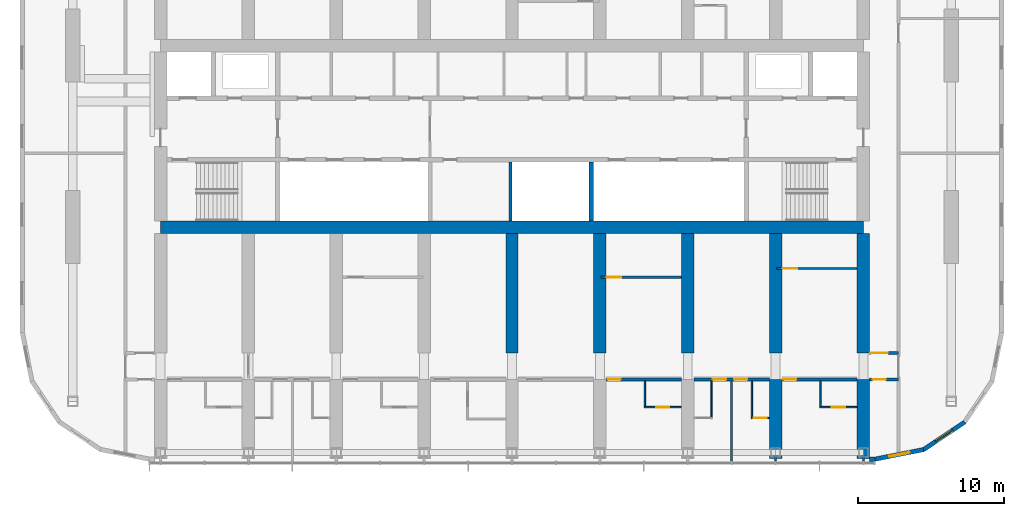
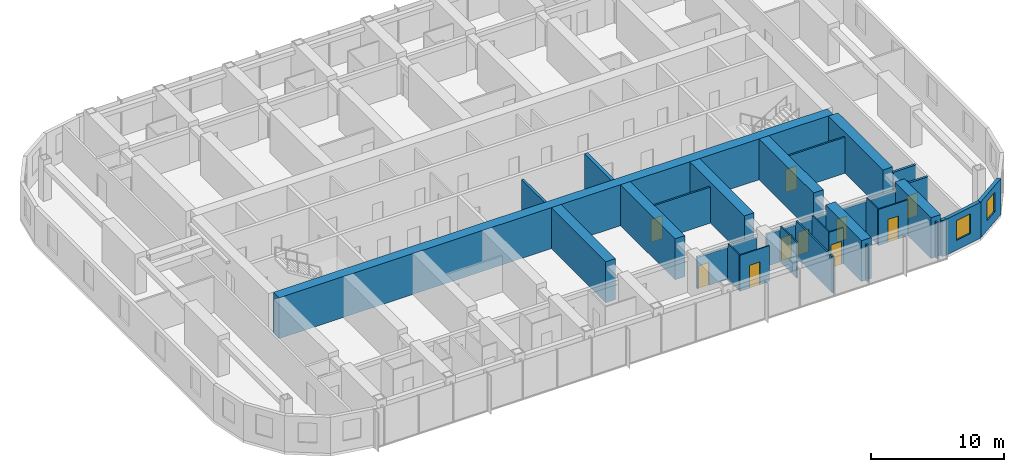
# One storey, part 12 of 22: 30 walls, 11 doors, 2 windows, 13 openings.
"""IFC4 building model written with IfcOpenShell, lengths in metres."""

from ifc_helpers import new_model, si_unit, direction, frame, frame_2d, origin, place, context, subcontext, project, spatial, polyline, rectangle, outline, extrude, material, layer, layer_set, type_object, element, fill, save


model = new_model("IFC4")

# Units and contexts
model_context = context("Model", 3, precision=1e-05, world=origin(), true_north=direction((0.0, 1.0)))
body_context = subcontext(model_context, "Body", "Model", "MODEL_VIEW")
ifc_project = project(units=[si_unit("LENGTHUNIT", "METRE"), si_unit("AREAUNIT", "SQUARE_METRE"), si_unit("VOLUMEUNIT", "CUBIC_METRE"), si_unit("PLANEANGLEUNIT", "RADIAN"), si_unit("MASSUNIT", "GRAM", prefix="KILO")], contexts=[model_context])

# Site, building, storey
site_placement = place(None, origin())
site = spatial("IfcSite", under=ifc_project, at=site_placement, CompositionType="ELEMENT")
building_placement = place(site_placement, origin())
building = spatial("IfcBuilding", under=site, at=building_placement, Name="Orbita Commons", CompositionType="ELEMENT")
storey_placement = place(building_placement, frame((0.0, 0.0, 189.85009765625)))
storey = spatial("IfcBuildingStorey", under=building, at=storey_placement, Name="L47", CompositionType="ELEMENT", Elevation=189.85009765625)

# Walls
ifc_material_1 = material(Name="Concrete C50/60", Category="concrete")
ifc_layer_1 = layer(ifc_material_1, 0.300048828125)
ifc_layer_set_1 = layer_set([ifc_layer_1], Name="Concrete C50/60")
wall_type_1 = type_object("IfcWallType", Name="Core inner wall 300 C50/60", PredefinedType="SHEAR", material=ifc_layer_set_1)
wall_1_placement = place(storey_placement, frame((47.39990234375, 26.22509765625, 0.0), z_axis=(0.0, 0.0, 1.0), x_axis=(0.0, 1.0, 0.0)))
element("IfcWall", 1, at=wall_1_placement, inside=storey, type_object=wall_type_1, Name="Hoistway division wall L47", PredefinedType="SHEAR", context=body_context, shape_type="SweptSolid", body=[
    extrude(rectangle(XDim=4.02490234375, YDim=0.300048828125, at=frame_2d((2.012451171875, 0.0))), origin(), (0.0, 0.0, 1.0), 3.75),
])
ifc_material_2 = material(Name="Concrete C50/60", Category="concrete")
ifc_layer_2 = layer(ifc_material_2, 0.85009765625)
ifc_layer_set_2 = layer_set([ifc_layer_2], Name="Concrete C50/60")
wall_type_2 = type_object("IfcWallType", Name="Core wall 850 C50/60", PredefinedType="SHEAR", material=ifc_layer_set_2)
wall_2_placement = place(storey_placement, frame((18.0, 25.800048828125, 0.0), z_axis=(0.0, 0.0, 1.0), x_axis=(1.0, 0.0, 0.0)))
element("IfcWall", 2, at=wall_2_placement, inside=storey, type_object=wall_type_2, Name="Core spine wall south L47", PredefinedType="SHEAR", context=body_context, shape_type="SweptSolid", body=[
    extrude(rectangle(XDim=48.0, YDim=0.85009765625, at=frame_2d((24.0, 0.0))), origin(), (0.0, 0.0, 1.0), 3.75),
])

# Wall, opening, door
ifc_material_3 = material(Name="Concrete blockwork", Category="masonry")
ifc_layer_3 = layer(ifc_material_3, 0.199951171875)
ifc_layer_set_3 = layer_set([ifc_layer_3], Name="Concrete blockwork")
wall_type_3 = type_object("IfcWallType", Name="Corridor wall 200 blockwork", PredefinedType="SOLIDWALL", material=ifc_layer_set_3)
wall_3_placement = place(storey_placement, frame((48.425048828125, 15.39990234375, 0.0), z_axis=(0.0, 0.0, 1.0), x_axis=(1.0, 0.0, 0.0)))
wall_3 = element("IfcWall", 3, at=wall_3_placement, inside=storey, type_object=wall_type_3, Name="Corridor wall 200 blockwork L47", PredefinedType="SOLIDWALL", context=body_context, shape_type="SweptSolid", body=[
    extrude(outline(polyline([(0.0, 0.0), (5.14990234375, 0.0), (5.14990234375, 2.89990234375), (0.0, 2.89990234375), (0.0, 0.0)])), frame((0.0, 0.10009765625, 0.0), z_axis=(0.0, -1.0, 0.0), x_axis=(1.0, 0.0, 0.0)), (0.0, 0.0, 1.0), 0.199951171875),
])
opening_1_placement = place(wall_3_placement, frame((0.10009765625, 0.0, 0.0)))
opening_1 = element("IfcOpeningElement", 4, at=opening_1_placement, cuts=wall_3, Name="Opening D11", PredefinedType="OPENING", context=body_context, shape_type="SweptSolid", body=[
    extrude(rectangle(XDim=0.89990234375, YDim=2.10009765625, at=frame_2d((0.449951171875, 1.050048828125))), frame((0.0, 0.10986328125, 0.0), z_axis=(0.0, -1.0, 0.0), x_axis=(1.0, 0.0, 0.0)), (0.0, 0.0, 1.0), 0.219970703125),
])
ifc_material_4 = material(Name="Steel-faced fire door leaf", Category="steel")
door_type_1 = type_object("IfcDoorType", Name="Corridor door 20 min 900x2100", OperationType="SINGLE_SWING_LEFT", PredefinedType="DOOR", material=ifc_material_4)
door_1_placement = place(opening_1_placement, origin())
door_1 = element("IfcDoor", 5, at=door_1_placement, inside=storey, type_object=door_type_1, Name="Twin room L47-S10 door", OperationType="SINGLE_SWING_LEFT", OverallHeight=2.10009765625, OverallWidth=0.89990234375, PredefinedType="DOOR", context=body_context, shape_type="SweptSolid", body=[
    extrude(rectangle(XDim=0.89990234375, YDim=2.10009765625, at=frame_2d((0.449951171875, 1.050048828125))), frame((0.0, 0.02490234375, 0.0), z_axis=(0.0, -1.0, 0.0), x_axis=(1.0, 0.0, 0.0)), (0.0, 0.0, 1.0), 0.050048828125),
])
fill(opening_1, door_1)

# Wall, openings, doors
wall_4_placement = place(storey_placement, frame((54.425048828125, 15.39990234375, 0.0), z_axis=(0.0, 0.0, 1.0), x_axis=(1.0, 0.0, 0.0)))
wall_4 = element("IfcWall", 6, at=wall_4_placement, inside=storey, type_object=wall_type_3, Name="Corridor wall 200 blockwork L47", PredefinedType="SOLIDWALL", context=body_context, shape_type="SweptSolid", body=[
    extrude(outline(polyline([(0.0, 0.0), (5.14990234375, 0.0), (5.14990234375, 2.89990234375), (0.0, 2.89990234375), (0.0, 0.0)])), frame((0.0, 0.10009765625, 0.0), z_axis=(0.0, -1.0, 0.0), x_axis=(1.0, 0.0, 0.0)), (0.0, 0.0, 1.0), 0.199951171875),
])
opening_2_placement = place(wall_4_placement, frame((1.300048828125, 0.0, 0.0)))
opening_2 = element("IfcOpeningElement", 7, at=opening_2_placement, cuts=wall_4, Name="Opening D11", PredefinedType="OPENING", context=body_context, shape_type="SweptSolid", body=[
    extrude(rectangle(XDim=0.89990234375, YDim=2.10009765625, at=frame_2d((0.449951171875, 1.050048828125))), frame((0.0, 0.10986328125, 0.0), z_axis=(0.0, -1.0, 0.0), x_axis=(1.0, 0.0, 0.0)), (0.0, 0.0, 1.0), 0.219970703125),
])
opening_3_placement = place(wall_4_placement, frame((2.75, 0.0, 0.0)))
opening_3 = element("IfcOpeningElement", 8, at=opening_3_placement, cuts=wall_4, Name="Opening D11", PredefinedType="OPENING", context=body_context, shape_type="SweptSolid", body=[
    extrude(rectangle(XDim=0.89990234375, YDim=2.10009765625, at=frame_2d((0.449951171875, 1.050048828125))), frame((0.0, 0.10986328125, 0.0), z_axis=(0.0, -1.0, 0.0), x_axis=(1.0, 0.0, 0.0)), (0.0, 0.0, 1.0), 0.219970703125),
])
door_2_placement = place(opening_2_placement, origin())
door_2 = element("IfcDoor", 9, at=door_2_placement, inside=storey, type_object=door_type_1, Name="Cluster bedroom L47-S12 door", OperationType="SINGLE_SWING_LEFT", OverallHeight=2.10009765625, OverallWidth=0.89990234375, PredefinedType="DOOR", context=body_context, shape_type="SweptSolid", body=[
    extrude(rectangle(XDim=0.89990234375, YDim=2.10009765625, at=frame_2d((0.449951171875, 1.050048828125))), frame((0.0, 0.02490234375, 0.0), z_axis=(0.0, -1.0, 0.0), x_axis=(1.0, 0.0, 0.0)), (0.0, 0.0, 1.0), 0.050048828125),
])
fill(opening_2, door_2)
door_3_placement = place(opening_3_placement, origin())
door_3 = element("IfcDoor", 10, at=door_3_placement, inside=storey, type_object=door_type_1, Name="Cluster bedroom L47-S13 door", OperationType="SINGLE_SWING_LEFT", OverallHeight=2.10009765625, OverallWidth=0.89990234375, PredefinedType="DOOR", context=body_context, shape_type="SweptSolid", body=[
    extrude(rectangle(XDim=0.89990234375, YDim=2.10009765625, at=frame_2d((0.449951171875, 1.050048828125))), frame((0.0, 0.02490234375, 0.0), z_axis=(0.0, -1.0, 0.0), x_axis=(1.0, 0.0, 0.0)), (0.0, 0.0, 1.0), 0.050048828125),
])
fill(opening_3, door_3)

# Wall, opening, door
wall_5_placement = place(storey_placement, frame((60.425048828125, 15.39990234375, 0.0), z_axis=(0.0, 0.0, 1.0), x_axis=(1.0, 0.0, 0.0)))
wall_5 = element("IfcWall", 11, at=wall_5_placement, inside=storey, type_object=wall_type_3, Name="Corridor wall 200 blockwork L47", PredefinedType="SOLIDWALL", context=body_context, shape_type="SweptSolid", body=[
    extrude(outline(polyline([(0.0, 0.0), (5.14990234375, 0.0), (5.14990234375, 2.89990234375), (0.0, 2.89990234375), (0.0, 0.0)])), frame((0.0, 0.10009765625, 0.0), z_axis=(0.0, -1.0, 0.0), x_axis=(1.0, 0.0, 0.0)), (0.0, 0.0, 1.0), 0.199951171875),
])
opening_4_placement = place(wall_5_placement, frame((0.10009765625, 0.0, 0.0)))
opening_4 = element("IfcOpeningElement", 12, at=opening_4_placement, cuts=wall_5, Name="Opening D11", PredefinedType="OPENING", context=body_context, shape_type="SweptSolid", body=[
    extrude(rectangle(XDim=0.89990234375, YDim=2.10009765625, at=frame_2d((0.449951171875, 1.050048828125))), frame((0.0, 0.10986328125, 0.0), z_axis=(0.0, -1.0, 0.0), x_axis=(1.0, 0.0, 0.0)), (0.0, 0.0, 1.0), 0.219970703125),
])
door_4_placement = place(opening_4_placement, origin())
door_4 = element("IfcDoor", 13, at=door_4_placement, inside=storey, type_object=door_type_1, Name="Twin room L47-S14 door", OperationType="SINGLE_SWING_LEFT", OverallHeight=2.10009765625, OverallWidth=0.89990234375, PredefinedType="DOOR", context=body_context, shape_type="SweptSolid", body=[
    extrude(rectangle(XDim=0.89990234375, YDim=2.10009765625, at=frame_2d((0.449951171875, 1.050048828125))), frame((0.0, 0.02490234375, 0.0), z_axis=(0.0, -1.0, 0.0), x_axis=(1.0, 0.0, 0.0)), (0.0, 0.0, 1.0), 0.050048828125),
])
fill(opening_4, door_4)

wall_6_placement = place(storey_placement, frame((66.425048828125, 15.39990234375, 0.0), z_axis=(0.0, 0.0, 1.0), x_axis=(1.0, 0.0, 0.0)))
wall_6 = element("IfcWall", 14, at=wall_6_placement, inside=storey, type_object=wall_type_3, Name="Corridor wall 200 blockwork L47", PredefinedType="SOLIDWALL", context=body_context, shape_type="SweptSolid", body=[
    extrude(rectangle(XDim=1.974853515625, YDim=0.199951171875, at=frame_2d((0.9873046875, 0.0))), origin(), (0.0, 0.0, 1.0), 3.2998046875),
])
opening_5_placement = place(wall_6_placement, frame((0.199951171875, 0.0, 0.0)))
opening_5 = element("IfcOpeningElement", 15, at=opening_5_placement, cuts=wall_6, Name="Opening D05", PredefinedType="OPENING", context=body_context, shape_type="SweptSolid", body=[
    extrude(rectangle(XDim=0.89990234375, YDim=2.10009765625, at=frame_2d((0.449951171875, 1.050048828125))), frame((0.0, 0.10986328125, 0.0), z_axis=(0.0, -1.0, 0.0), x_axis=(1.0, 0.0, 0.0)), (0.0, 0.0, 1.0), 0.219970703125),
])
ifc_material_5 = material(Name="Steel-faced fire door leaf", Category="steel")
door_type_2 = type_object("IfcDoorType", Name="Service door 20 min 900x2100", OperationType="SINGLE_SWING_LEFT", PredefinedType="DOOR", material=ifc_material_5)
door_5_placement = place(opening_5_placement, origin())
door_5 = element("IfcDoor", 16, at=door_5_placement, inside=storey, type_object=door_type_2, Name="Linen store L47-KES door", OperationType="SINGLE_SWING_LEFT", OverallHeight=2.10009765625, OverallWidth=0.89990234375, PredefinedType="DOOR", context=body_context, shape_type="SweptSolid", body=[
    extrude(rectangle(XDim=0.89990234375, YDim=2.10009765625, at=frame_2d((0.449951171875, 1.050048828125))), frame((0.0, 0.02490234375, 0.0), z_axis=(0.0, -1.0, 0.0), x_axis=(1.0, 0.0, 0.0)), (0.0, 0.0, 1.0), 0.050048828125),
])
fill(opening_5, door_5)

ifc_material_6 = material(Name="Hollow concrete block 200", Category="concrete")
ifc_layer_4 = layer(ifc_material_6, 0.199951171875)
ifc_layer_set_4 = layer_set([ifc_layer_4], Name="Hollow concrete block 200")
wall_type_4 = type_object("IfcWallType", Name="Corridor wall 200 hollow concrete block", PredefinedType="SOLIDWALL", material=ifc_layer_set_4)
wall_7_placement = place(storey_placement, frame((66.425048828125, 17.199951171875, 0.0), z_axis=(0.0, 0.0, 1.0), x_axis=(1.0, 0.0, 0.0)))
wall_7 = element("IfcWall", 17, at=wall_7_placement, inside=storey, type_object=wall_type_4, Name="Corridor wall 200 hollow concrete block L47", PredefinedType="SOLIDWALL", context=body_context, shape_type="SweptSolid", body=[
    extrude(rectangle(XDim=1.974853515625, YDim=0.199951171875, at=frame_2d((0.9873046875, 0.0))), origin(), (0.0, 0.0, 1.0), 3.2998046875),
])
opening_6_placement = place(wall_7_placement, frame((0.050048828125, 0.0, 0.0)))
opening_6 = element("IfcOpeningElement", 18, at=opening_6_placement, cuts=wall_7, Name="Opening D12", PredefinedType="OPENING", context=body_context, shape_type="SweptSolid", body=[
    extrude(rectangle(XDim=1.199951171875, YDim=2.10009765625, at=frame_2d((0.60009765625, 1.050048828125))), frame((0.0, 0.10986328125, 0.0), z_axis=(0.0, -1.0, 0.0), x_axis=(1.0, 0.0, 0.0)), (0.0, 0.0, 1.0), 0.219970703125),
])
ifc_material_7 = material(Name="Steel-faced fire door leaf", Category="steel")
door_type_3 = type_object("IfcDoorType", Name="Double corridor door 20 min 1200x2100", OperationType="DOUBLE_DOOR_SINGLE_SWING", PredefinedType="DOOR", material=ifc_material_7)
door_6_placement = place(opening_6_placement, origin())
door_6 = element("IfcDoor", 19, at=door_6_placement, inside=storey, type_object=door_type_3, Name="Cross corridor doors", OperationType="DOUBLE_DOOR_SINGLE_SWING", OverallHeight=2.10009765625, OverallWidth=1.199951171875, PredefinedType="DOOR", context=body_context, shape_type="SweptSolid", body=[
    extrude(rectangle(XDim=1.199951171875, YDim=2.10009765625, at=frame_2d((0.60009765625, 1.050048828125))), frame((0.0, 0.02490234375, 0.0), z_axis=(0.0, -1.0, 0.0), x_axis=(1.0, 0.0, 0.0)), (0.0, 0.0, 1.0), 0.050048828125),
])
fill(opening_6, door_6)

# Walls
ifc_material_8 = material(Name="Concrete C50/60", Category="concrete")
ifc_layer_5 = layer(ifc_material_8, 0.85009765625)
ifc_layer_set_5 = layer_set([ifc_layer_5], Name="Concrete C50/60")
wall_type_5 = type_object("IfcWallType", Name="Cross wall 850 C50/60", PredefinedType="SHEAR", material=ifc_layer_set_5)
for number, where, z_axis, x_axis, name in (
    (20, (42.0, 17.199951171875, 0.0), (0.0, 0.0, 1.0), (0.0, 1.0, 0.0), "Cross wall 8 south inner L47"),
    (21, (48.0, 17.199951171875, 0.0), (0.0, 0.0, 1.0), (0.0, 1.0, 0.0), "Cross wall 9 south inner L47"),
    (22, (54.0, 17.199951171875, 0.0), (0.0, 0.0, 1.0), (0.0, 1.0, 0.0), "Cross wall 10 south inner L47"),
):
    element("IfcWall", number, at=place(storey_placement, frame(where, z_axis=z_axis, x_axis=x_axis)), inside=storey, type_object=wall_type_5, Name=name, PredefinedType="SHEAR", context=body_context, shape_type="SweptSolid", body=[
        extrude(rectangle(XDim=8.175048828125, YDim=0.85009765625, at=frame_2d((4.08740234375, 0.0))), origin(), (0.0, 0.0, 1.0), 3.75),
    ])
wall_8_placement = place(storey_placement, frame((60.0, 10.0, 0.0), z_axis=(0.0, 0.0, 1.0), x_axis=(0.0, 1.0, 0.0)))
element("IfcWall", 23, at=wall_8_placement, inside=storey, type_object=wall_type_5, Name="Cross wall 11 south outer L47", PredefinedType="SHEAR", context=body_context, shape_type="SweptSolid", body=[
    extrude(rectangle(XDim=5.39990234375, YDim=0.85009765625, at=frame_2d((2.699951171875, 0.0))), origin(), (0.0, 0.0, 1.0), 3.75),
])
wall_9_placement = place(storey_placement, frame((60.0, 17.199951171875, 0.0), z_axis=(0.0, 0.0, 1.0), x_axis=(0.0, 1.0, 0.0)))
element("IfcWall", 24, at=wall_9_placement, inside=storey, type_object=wall_type_5, Name="Cross wall 11 south inner L47", PredefinedType="SHEAR", context=body_context, shape_type="SweptSolid", body=[
    extrude(rectangle(XDim=8.175048828125, YDim=0.85009765625, at=frame_2d((4.08740234375, 0.0))), origin(), (0.0, 0.0, 1.0), 3.75),
])
wall_10_placement = place(storey_placement, frame((66.0, 10.0, 0.0), z_axis=(0.0, 0.0, 1.0), x_axis=(0.0, 1.0, 0.0)))
element("IfcWall", 25, at=wall_10_placement, inside=storey, type_object=wall_type_5, Name="Cross wall 12 south outer L47", PredefinedType="SHEAR", context=body_context, shape_type="SweptSolid", body=[
    extrude(rectangle(XDim=5.39990234375, YDim=0.85009765625, at=frame_2d((2.699951171875, 0.0))), origin(), (0.0, 0.0, 1.0), 3.75),
])
wall_11_placement = place(storey_placement, frame((66.0, 17.199951171875, 0.0), z_axis=(0.0, 0.0, 1.0), x_axis=(0.0, 1.0, 0.0)))
element("IfcWall", 26, at=wall_11_placement, inside=storey, type_object=wall_type_5, Name="Cross wall 12 south inner L47", PredefinedType="SHEAR", context=body_context, shape_type="SweptSolid", body=[
    extrude(rectangle(XDim=8.175048828125, YDim=0.85009765625, at=frame_2d((4.08740234375, 0.0))), origin(), (0.0, 0.0, 1.0), 3.75),
])

# Wall, opening, door
ifc_material_9 = material(Name="Moisture-resistant plasterboard on steel studs", Category="steel")
ifc_layer_6 = layer(ifc_material_9, 0.10009765625)
ifc_layer_set_6 = layer_set([ifc_layer_6], Name="Moisture-resistant plasterboard on steel studs")
wall_type_6 = type_object("IfcWallType", Name="En-suite partition 100", PredefinedType="PARTITIONING", material=ifc_layer_set_6)
wall_12_placement = place(storey_placement, frame((53.574951171875, 13.5, 0.0), z_axis=(0.0, 0.0, 1.0), x_axis=(-1.0, 0.0, 0.0)))
wall_12 = element("IfcWall", 27, at=wall_12_placement, inside=storey, type_object=wall_type_6, Name="En-suite partition 100 L47", PredefinedType="PARTITIONING", context=body_context, shape_type="SweptSolid", body=[
    extrude(rectangle(XDim=2.550048828125, YDim=0.10009765625, at=frame_2d((1.27490234375, 0.0))), origin(), (0.0, 0.0, 1.0), 3.2998046875),
])
opening_7_placement = place(wall_12_placement, frame((0.824951171875, 0.0, 0.0)))
opening_7 = element("IfcOpeningElement", 28, at=opening_7_placement, cuts=wall_12, Name="Opening D09", PredefinedType="OPENING", context=body_context, shape_type="SweptSolid", body=[
    extrude(rectangle(XDim=0.89990234375, YDim=2.10009765625, at=frame_2d((0.449951171875, 1.050048828125))), frame((0.0, 0.06005859375, 0.0), z_axis=(0.0, -1.0, 0.0), x_axis=(1.0, 0.0, 0.0)), (0.0, 0.0, 1.0), 0.1201171875),
])
ifc_material_10 = material(Name="Laminated timber door leaf", Category="wood")
door_type_4 = type_object("IfcDoorType", Name="En-suite door 900x2100", OperationType="SINGLE_SWING_RIGHT", PredefinedType="DOOR", material=ifc_material_10)
door_7_placement = place(opening_7_placement, origin())
door_7 = element("IfcDoor", 29, at=door_7_placement, inside=storey, type_object=door_type_4, Name="En-suite L47-S10 door", OperationType="SINGLE_SWING_RIGHT", OverallHeight=2.10009765625, OverallWidth=0.89990234375, PredefinedType="DOOR", context=body_context, shape_type="SweptSolid", body=[
    extrude(rectangle(XDim=0.89990234375, YDim=2.10009765625, at=frame_2d((0.449951171875, 1.050048828125))), frame((0.0, 0.02490234375, 0.0), z_axis=(0.0, -1.0, 0.0), x_axis=(1.0, 0.0, 0.0)), (0.0, 0.0, 1.0), 0.050048828125),
])
fill(opening_7, door_7)

# Walls
wall_13_placement = place(storey_placement, frame((51.074951171875, 13.550048828125, 0.0), z_axis=(0.0, 0.0, 1.0), x_axis=(0.0, 1.0, 0.0)))
element("IfcWall", 30, at=wall_13_placement, inside=storey, type_object=wall_type_6, Name="En-suite partition 100 L47", PredefinedType="PARTITIONING", context=body_context, shape_type="SweptSolid", body=[
    extrude(outline(polyline([(0.0, 0.0), (1.75, 0.0), (1.75, 2.89990234375), (1.701904296875, 2.89990234375), (1.699951171875, 3.2998046875), (0.0, 3.2998046875), (0.0, 0.0)])), frame((0.0, 0.050048828125, 0.0), z_axis=(0.0, -1.0, 0.0), x_axis=(1.0, 0.0, 0.0)), (0.0, 0.0, 1.0), 0.10009765625),
])
wall_14_placement = place(storey_placement, frame((55.625, 12.808349609375, 0.0), z_axis=(0.0, 0.0, 1.0), x_axis=(0.0, 1.0, 0.0)))
element("IfcWall", 31, at=wall_14_placement, inside=storey, type_object=wall_type_6, Name="En-suite partition 100 L47", PredefinedType="PARTITIONING", context=body_context, shape_type="SweptSolid", body=[
    extrude(outline(polyline([(0.0, 0.0), (2.49169921875, 0.0), (2.49169921875, 2.89990234375), (2.443603515625, 2.89990234375), (2.441650390625, 3.2998046875), (0.0, 3.2998046875), (0.0, 0.0)])), frame((0.0, 0.050048828125, 0.0), z_axis=(0.0, -1.0, 0.0), x_axis=(1.0, 0.0, 0.0)), (0.0, 0.0, 1.0), 0.10009765625),
])

# Wall, opening, door
wall_15_placement = place(storey_placement, frame((59.574951171875, 12.75830078125, 0.0), z_axis=(0.0, 0.0, 1.0), x_axis=(-1.0, 0.0, 0.0)))
wall_15 = element("IfcWall", 32, at=wall_15_placement, inside=storey, type_object=wall_type_6, Name="En-suite partition 100 L47", PredefinedType="PARTITIONING", context=body_context, shape_type="SweptSolid", body=[
    extrude(rectangle(XDim=1.25, YDim=0.10009765625, at=frame_2d((0.625, 0.0))), origin(), (0.0, 0.0, 1.0), 3.2998046875),
])
opening_8_placement = place(wall_15_placement, frame((0.175048828125, 0.0, 0.0)))
opening_8 = element("IfcOpeningElement", 33, at=opening_8_placement, cuts=wall_15, Name="Opening D09", PredefinedType="OPENING", context=body_context, shape_type="SweptSolid", body=[
    extrude(rectangle(XDim=0.89990234375, YDim=2.10009765625, at=frame_2d((0.449951171875, 1.050048828125))), frame((0.0, 0.06005859375, 0.0), z_axis=(0.0, -1.0, 0.0), x_axis=(1.0, 0.0, 0.0)), (0.0, 0.0, 1.0), 0.1201171875),
])
door_8_placement = place(opening_8_placement, origin())
door_8 = element("IfcDoor", 34, at=door_8_placement, inside=storey, type_object=door_type_4, Name="En-suite L47-S13 door", OperationType="SINGLE_SWING_RIGHT", OverallHeight=2.10009765625, OverallWidth=0.89990234375, PredefinedType="DOOR", context=body_context, shape_type="SweptSolid", body=[
    extrude(rectangle(XDim=0.89990234375, YDim=2.10009765625, at=frame_2d((0.449951171875, 1.050048828125))), frame((0.0, 0.02490234375, 0.0), z_axis=(0.0, -1.0, 0.0), x_axis=(1.0, 0.0, 0.0)), (0.0, 0.0, 1.0), 0.050048828125),
])
fill(opening_8, door_8)

# Wall
wall_16_placement = place(storey_placement, frame((58.375, 12.808349609375, 0.0), z_axis=(0.0, 0.0, 1.0), x_axis=(0.0, 1.0, 0.0)))
element("IfcWall", 35, at=wall_16_placement, inside=storey, type_object=wall_type_6, Name="En-suite partition 100 L47", PredefinedType="PARTITIONING", context=body_context, shape_type="SweptSolid", body=[
    extrude(outline(polyline([(0.0, 0.0), (2.49169921875, 0.0), (2.49169921875, 2.89990234375), (2.443603515625, 2.89990234375), (2.441650390625, 3.2998046875), (0.0, 3.2998046875), (0.0, 0.0)])), frame((0.0, 0.050048828125, 0.0), z_axis=(0.0, -1.0, 0.0), x_axis=(1.0, 0.0, 0.0)), (0.0, 0.0, 1.0), 0.10009765625),
])

# Wall, opening, door
wall_17_placement = place(storey_placement, frame((65.574951171875, 13.5, 0.0), z_axis=(0.0, 0.0, 1.0), x_axis=(-1.0, 0.0, 0.0)))
wall_17 = element("IfcWall", 36, at=wall_17_placement, inside=storey, type_object=wall_type_6, Name="En-suite partition 100 L47", PredefinedType="PARTITIONING", context=body_context, shape_type="SweptSolid", body=[
    extrude(rectangle(XDim=2.550048828125, YDim=0.10009765625, at=frame_2d((1.27490234375, 0.0))), origin(), (0.0, 0.0, 1.0), 3.2998046875),
])
opening_9_placement = place(wall_17_placement, frame((0.824951171875, 0.0, 0.0)))
opening_9 = element("IfcOpeningElement", 37, at=opening_9_placement, cuts=wall_17, Name="Opening D09", PredefinedType="OPENING", context=body_context, shape_type="SweptSolid", body=[
    extrude(rectangle(XDim=0.89990234375, YDim=2.10009765625, at=frame_2d((0.449951171875, 1.050048828125))), frame((0.0, 0.06005859375, 0.0), z_axis=(0.0, -1.0, 0.0), x_axis=(1.0, 0.0, 0.0)), (0.0, 0.0, 1.0), 0.1201171875),
])
door_9_placement = place(opening_9_placement, origin())
door_9 = element("IfcDoor", 38, at=door_9_placement, inside=storey, type_object=door_type_4, Name="En-suite L47-S14 door", OperationType="SINGLE_SWING_RIGHT", OverallHeight=2.10009765625, OverallWidth=0.89990234375, PredefinedType="DOOR", context=body_context, shape_type="SweptSolid", body=[
    extrude(rectangle(XDim=0.89990234375, YDim=2.10009765625, at=frame_2d((0.449951171875, 1.050048828125))), frame((0.0, 0.02490234375, 0.0), z_axis=(0.0, -1.0, 0.0), x_axis=(1.0, 0.0, 0.0)), (0.0, 0.0, 1.0), 0.050048828125),
])
fill(opening_9, door_9)

# Wall
wall_18_placement = place(storey_placement, frame((63.074951171875, 13.550048828125, 0.0), z_axis=(0.0, 0.0, 1.0), x_axis=(0.0, 1.0, 0.0)))
element("IfcWall", 39, at=wall_18_placement, inside=storey, type_object=wall_type_6, Name="En-suite partition 100 L47", PredefinedType="PARTITIONING", context=body_context, shape_type="SweptSolid", body=[
    extrude(outline(polyline([(0.0, 0.0), (1.75, 0.0), (1.75, 2.89990234375), (1.701904296875, 2.89990234375), (1.699951171875, 3.2998046875), (0.0, 3.2998046875), (0.0, 0.0)])), frame((0.0, 0.050048828125, 0.0), z_axis=(0.0, -1.0, 0.0), x_axis=(1.0, 0.0, 0.0)), (0.0, 0.0, 1.0), 0.10009765625),
])

# Wall, opening, door
ifc_material_11 = material(Name="Gypsum plasterboard on steel studs", Category="steel")
ifc_layer_7 = layer(ifc_material_11, 0.14990234375)
ifc_layer_set_7 = layer_set([ifc_layer_7], Name="Gypsum plasterboard on steel studs")
wall_type_7 = type_object("IfcWallType", Name="Partition 150 plasterboard", PredefinedType="PARTITIONING", material=ifc_layer_set_7)
wall_19_placement = place(storey_placement, frame((48.074951171875, 22.375, 0.0), z_axis=(0.0, 0.0, 1.0), x_axis=(1.0, 0.0, 0.0)))
wall_19 = element("IfcWall", 40, at=wall_19_placement, inside=storey, type_object=wall_type_7, Name="Partition 150 plasterboard L47", PredefinedType="PARTITIONING", context=body_context, shape_type="SweptSolid", body=[
    extrude(rectangle(XDim=5.5, YDim=0.14990234375, at=frame_2d((2.75, 0.0))), origin(), (0.0, 0.0, 1.0), 3.2998046875),
])
opening_10_placement = place(wall_19_placement, frame((0.39990234375, 0.0, 0.0)))
opening_10 = element("IfcOpeningElement", 41, at=opening_10_placement, cuts=wall_19, Name="Opening D18", PredefinedType="OPENING", context=body_context, shape_type="SweptSolid", body=[
    extrude(rectangle(XDim=1.0, YDim=2.10009765625, at=frame_2d((0.5, 1.050048828125))), frame((0.0, 0.0849609375, 0.0), z_axis=(0.0, -1.0, 0.0), x_axis=(1.0, 0.0, 0.0)), (0.0, 0.0, 1.0), 0.169921875),
])
ifc_material_12 = material(Name="Steel-faced fire door leaf", Category="steel")
door_type_5 = type_object("IfcDoorType", Name="Service door 20 min 1000x2100", OperationType="SINGLE_SWING_LEFT", PredefinedType="DOOR", material=ifc_material_12)
door_10_placement = place(opening_10_placement, origin())
door_10 = element("IfcDoor", 42, at=door_10_placement, inside=storey, type_object=door_type_5, Name="Refuse and recycling room L47-BDS48 door", OperationType="SINGLE_SWING_LEFT", OverallHeight=2.10009765625, OverallWidth=1.0, PredefinedType="DOOR", context=body_context, shape_type="SweptSolid", body=[
    extrude(rectangle(XDim=1.0, YDim=2.10009765625, at=frame_2d((0.5, 1.050048828125))), frame((0.0, 0.02490234375, 0.0), z_axis=(0.0, -1.0, 0.0), x_axis=(1.0, 0.0, 0.0)), (0.0, 0.0, 1.0), 0.050048828125),
])
fill(opening_10, door_10)

wall_20_placement = place(storey_placement, frame((60.074951171875, 22.97509765625, 0.0), z_axis=(0.0, 0.0, 1.0), x_axis=(1.0, 0.0, 0.0)))
wall_20 = element("IfcWall", 43, at=wall_20_placement, inside=storey, type_object=wall_type_7, Name="Partition 150 plasterboard L47", PredefinedType="PARTITIONING", context=body_context, shape_type="SweptSolid", body=[
    extrude(rectangle(XDim=5.5, YDim=0.14990234375, at=frame_2d((2.75, 0.0))), origin(), (0.0, 0.0, 1.0), 3.2998046875),
])
opening_11_placement = place(wall_20_placement, frame((0.39990234375, 0.0, 0.0)))
opening_11 = element("IfcOpeningElement", 44, at=opening_11_placement, cuts=wall_20, Name="Opening D18", PredefinedType="OPENING", context=body_context, shape_type="SweptSolid", body=[
    extrude(rectangle(XDim=1.0, YDim=2.10009765625, at=frame_2d((0.5, 1.050048828125))), frame((0.0, 0.0849609375, 0.0), z_axis=(0.0, -1.0, 0.0), x_axis=(1.0, 0.0, 0.0)), (0.0, 0.0, 1.0), 0.169921875),
])
door_11_placement = place(opening_11_placement, origin())
door_11 = element("IfcDoor", 45, at=door_11_placement, inside=storey, type_object=door_type_5, Name="Cleaners store L47-BDS60 door", OperationType="SINGLE_SWING_LEFT", OverallHeight=2.10009765625, OverallWidth=1.0, PredefinedType="DOOR", context=body_context, shape_type="SweptSolid", body=[
    extrude(rectangle(XDim=1.0, YDim=2.10009765625, at=frame_2d((0.5, 1.050048828125))), frame((0.0, 0.02490234375, 0.0), z_axis=(0.0, -1.0, 0.0), x_axis=(1.0, 0.0, 0.0)), (0.0, 0.0, 1.0), 0.050048828125),
])
fill(opening_11, door_11)

# Walls
for number, where, z_axis, x_axis, name in (
    (46, (60.0, 10.050048828125, 0.0), (0.0, 0.0, 1.0), (0.0, -1.0, 0.0), "Partition 150 plasterboard L47"),
    (47, (66.0, 10.050048828125, 0.0), (0.0, 0.0, 1.0), (0.0, -1.0, 0.0), "Partition 150 plasterboard L47"),
):
    element("IfcWall", number, at=place(storey_placement, frame(where, z_axis=z_axis, x_axis=x_axis)), inside=storey, type_object=wall_type_7, Name=name, PredefinedType="PARTITIONING", context=body_context, shape_type="SweptSolid", body=[
        extrude(rectangle(XDim=0.239990234375, YDim=0.14990234375, at=frame_2d((0.1201171875, 0.0))), origin(), (0.0, 0.0, 1.0), 3.2998046875),
    ])
ifc_material_13 = material(Name="Gypsum plasterboard on steel studs", Category="steel")
ifc_layer_8 = layer(ifc_material_13, 0.14990234375)
ifc_layer_set_8 = layer_set([ifc_layer_8], Name="Gypsum plasterboard on steel studs")
wall_type_8 = type_object("IfcWallType", Name="Party wall 150 plasterboard", PredefinedType="PARTITIONING", material=ifc_layer_set_8)
wall_21_placement = place(storey_placement, frame((57.0, 9.81005859375, 0.0), z_axis=(0.0, 0.0, 1.0), x_axis=(0.0, 1.0, 0.0)))
element("IfcWall", 48, at=wall_21_placement, inside=storey, type_object=wall_type_8, Name="Party wall 150 plasterboard L47", PredefinedType="PARTITIONING", context=body_context, shape_type="SweptSolid", body=[
    extrude(outline(polyline([(0.0, 0.0), (5.489990234375, 0.0), (5.489990234375, 2.89990234375), (5.44189453125, 2.89990234375), (5.43994140625, 3.2998046875), (0.7919921875, 3.2998046875), (0.7900390625, 2.89990234375), (0.39208984375, 2.89990234375), (0.389892578125, 3.2998046875), (0.0, 3.2998046875), (0.0, 0.0)])), frame((0.0, 0.074951171875, 0.0), z_axis=(0.0, -1.0, 0.0), x_axis=(1.0, 0.0, 0.0)), (0.0, 0.0, 1.0), 0.14990234375),
])

# Wall, opening, window
ifc_material_14 = material(Name="Precast concrete C40/50, white board-marked finish", Category="concrete")
ifc_layer_9 = layer(ifc_material_14, 0.300048828125)
ifc_layer_set_9 = layer_set([ifc_layer_9], Name="Precast concrete C40/50, white board-marked finish")
wall_type_9 = type_object("IfcWallType", Name="Precast concrete end shield 300", PredefinedType="SOLIDWALL", material=ifc_layer_set_9)
wall_22_placement = place(storey_placement, frame((66.800048828125, 9.949951171875, 0.0), z_axis=(0.0, 0.0, 1.0), x_axis=(0.98078325777, 0.195100490205, 0.0)))
wall_22 = element("IfcWall", 49, at=wall_22_placement, inside=storey, type_object=wall_type_9, Name="End shield SE chord 1 L47", PredefinedType="SOLIDWALL", context=body_context, shape_type="SweptSolid", body=[
    extrude(outline(polyline([(-0.02978515625, -0.14990234375), (3.40478515625, -0.14990234375), (3.34521484375, 0.14990234375), (0.02978515625, 0.14990234375), (-0.02978515625, -0.14990234375)])), origin(), (0.0, 0.0, 1.0), 3.2998046875),
])
opening_12_placement = place(wall_22_placement, frame((0.987548828125, 0.0, 0.89990234375)))
opening_12 = element("IfcOpeningElement", 50, at=opening_12_placement, cuts=wall_22, Name="Opening W02", PredefinedType="OPENING", context=body_context, shape_type="SweptSolid", body=[
    extrude(rectangle(XDim=1.39990234375, YDim=1.800048828125, at=frame_2d((0.699951171875, 0.89990234375))), frame((0.0, 0.159912109375, 0.0), z_axis=(0.0, -1.0, 0.0), x_axis=(1.0, 0.0, 0.0)), (0.0, 0.0, 1.0), 0.320068359375),
])
ifc_material_15 = material(Name="Aluminium frame, clear double glazing", Category="aluminium")
window_type = type_object("IfcWindowType", Name="Deep-set window 1400x1800", PartitioningType="SINGLE_PANEL", PredefinedType="WINDOW", material=ifc_material_15)
window_1_placement = place(opening_12_placement, origin())
window_1 = element("IfcWindow", 51, at=window_1_placement, inside=storey, type_object=window_type, Name="Window L47-SE0", OverallHeight=1.800048828125, OverallWidth=1.39990234375, PartitioningType="SINGLE_PANEL", PredefinedType="WINDOW", context=body_context, shape_type="SweptSolid", body=[
    extrude(rectangle(XDim=1.39990234375, YDim=1.800048828125, at=frame_2d((0.699951171875, 0.89990234375))), frame((0.0, 0.030029296875, 0.0), z_axis=(0.0, -1.0, 0.0), x_axis=(1.0, 0.0, 0.0)), (0.0, 0.0, 1.0), 0.06005859375),
])
fill(opening_12, window_1)

wall_23_placement = place(storey_placement, frame((70.110107421875, 10.6083984375, 0.0), z_axis=(0.0, 0.0, 1.0), x_axis=(0.831493450887, 0.555534554399, 0.0)))
wall_23 = element("IfcWall", 52, at=wall_23_placement, inside=storey, type_object=wall_type_9, Name="End shield SE chord 2 L47", PredefinedType="SOLIDWALL", context=body_context, shape_type="SweptSolid", body=[
    extrude(outline(polyline([(-0.02978515625, -0.14990234375), (3.405029296875, -0.14990234375), (3.345458984375, 0.14990234375), (0.02978515625, 0.14990234375), (-0.02978515625, -0.14990234375)])), origin(), (0.0, 0.0, 1.0), 3.2998046875),
])
opening_13_placement = place(wall_23_placement, frame((0.987548828125, 0.0, 0.89990234375)))
opening_13 = element("IfcOpeningElement", 53, at=opening_13_placement, cuts=wall_23, Name="Opening W02", PredefinedType="OPENING", context=body_context, shape_type="SweptSolid", body=[
    extrude(rectangle(XDim=1.39990234375, YDim=1.800048828125, at=frame_2d((0.699951171875, 0.89990234375))), frame((0.0, 0.159912109375, 0.0), z_axis=(0.0, -1.0, 0.0), x_axis=(1.0, 0.0, 0.0)), (0.0, 0.0, 1.0), 0.320068359375),
])
window_2_placement = place(opening_13_placement, origin())
window_2 = element("IfcWindow", 54, at=window_2_placement, inside=storey, type_object=window_type, Name="Window L47-SE1", OverallHeight=1.800048828125, OverallWidth=1.39990234375, PartitioningType="SINGLE_PANEL", PredefinedType="WINDOW", context=body_context, shape_type="SweptSolid", body=[
    extrude(rectangle(XDim=1.39990234375, YDim=1.800048828125, at=frame_2d((0.699951171875, 0.89990234375))), frame((0.0, 0.030029296875, 0.0), z_axis=(0.0, -1.0, 0.0), x_axis=(1.0, 0.0, 0.0)), (0.0, 0.0, 1.0), 0.06005859375),
])
fill(opening_13, window_2)

# Walls
wall_24_placement = place(storey_placement, frame((66.800048828125, 9.949951171875, 0.0), z_axis=(0.0, 0.0, 1.0), x_axis=(-1.0, 0.0, 0.0)))
element("IfcWall", 55, at=wall_24_placement, inside=storey, type_object=wall_type_9, Name="End shield SE closer L47", PredefinedType="SOLIDWALL", context=body_context, shape_type="SweptSolid", body=[
    extrude(rectangle(XDim=0.375, YDim=0.300048828125, at=frame_2d((0.1875, 0.0))), origin(), (0.0, 0.0, 1.0), 3.2998046875),
])
ifc_material_16 = material(Name="Concrete blockwork, fully filled", Category="masonry")
ifc_layer_10 = layer(ifc_material_16, 0.199951171875)
ifc_layer_set_10 = layer_set([ifc_layer_10], Name="Concrete blockwork, fully filled")
wall_type_10 = type_object("IfcWallType", Name="Shaft partition 200 blockwork", PredefinedType="SOLIDWALL", material=ifc_layer_set_10)
wall_25_placement = place(storey_placement, frame((41.89990234375, 26.22509765625, 0.0), z_axis=(0.0, 0.0, 1.0), x_axis=(0.0, 1.0, 0.0)))
element("IfcWall", 56, at=wall_25_placement, inside=storey, type_object=wall_type_10, Name="Shaft partition 200 blockwork L47", PredefinedType="SOLIDWALL", context=body_context, shape_type="SweptSolid", body=[
    extrude(rectangle(XDim=4.02490234375, YDim=0.199951171875, at=frame_2d((2.012451171875, 0.0))), origin(), (0.0, 0.0, 1.0), 3.2998046875),
])

save(model, "model.ifc")
